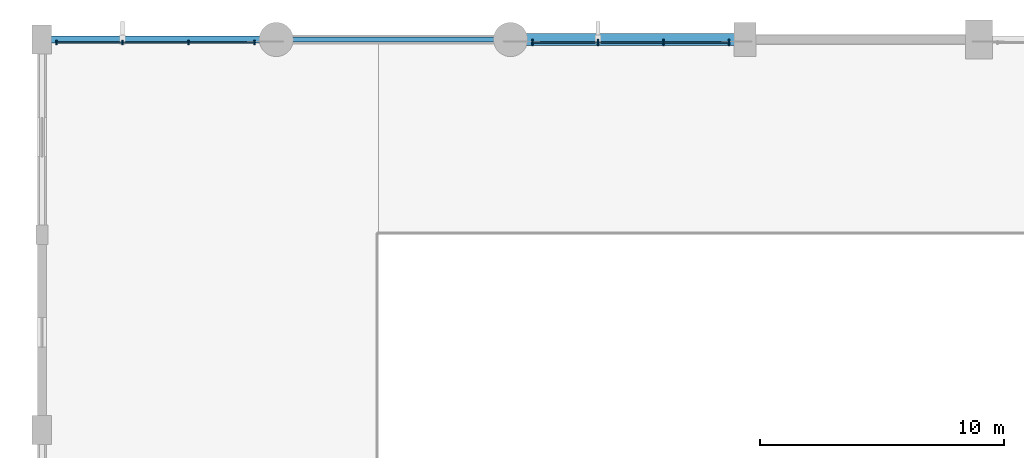
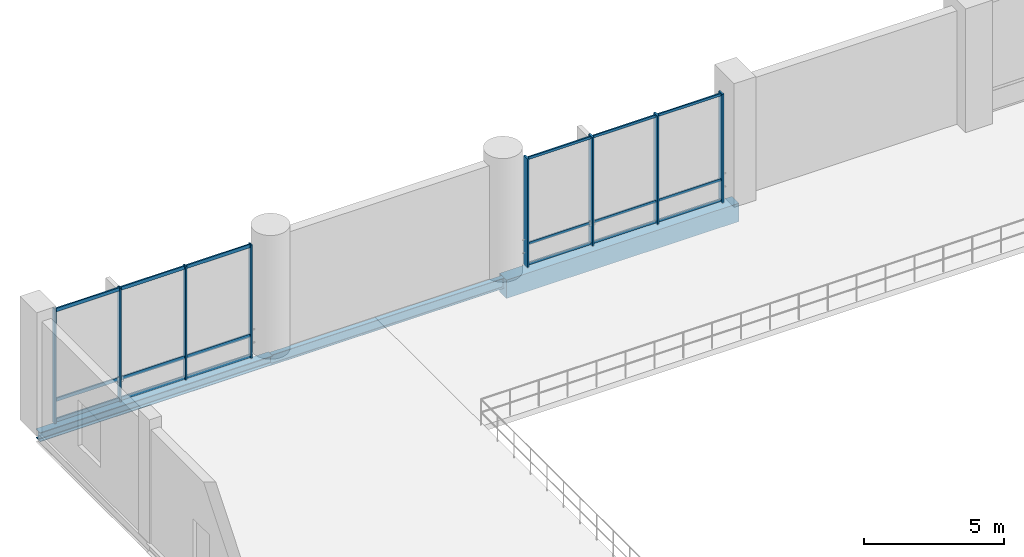
# One storey, part 63 of 129: 14 members, 3 beams, 2 elements without a shape of their own.
"""IFC4 building model written with IfcOpenShell, lengths in metres."""

from ifc_helpers import new_model, si_unit, direction, frame, origin, origin_2d, place, context, subcontext, project, spatial, rectangle, i_section, extrude, material, material_profile, profile_set, type_object, element, aggregate, save


model = new_model("IFC4")

# Units and contexts
model_context = context("Model", 3, precision=1e-05, world=origin(), true_north=direction((0.0, 1.0)))
body_context = subcontext(model_context, "Body", "Model", "MODEL_VIEW")
ifc_project = project(units=[si_unit("LENGTHUNIT", "METRE"), si_unit("AREAUNIT", "SQUARE_METRE"), si_unit("VOLUMEUNIT", "CUBIC_METRE"), si_unit("PLANEANGLEUNIT", "RADIAN"), si_unit("MASSUNIT", "GRAM", prefix="KILO")], contexts=[model_context])

# Site, building, storey
site_placement = place(None, origin())
site = spatial("IfcSite", under=ifc_project, at=site_placement, CompositionType="ELEMENT")
building_placement = place(site_placement, origin())
building = spatial("IfcBuilding", under=site, at=building_placement, Name="Danafjord Basin Convention Centre", CompositionType="ELEMENT")
storey_placement = place(building_placement, frame((0.0, 0.0, 6.0)))
storey = spatial("IfcBuildingStorey", under=building, at=storey_placement, Name="L01", CompositionType="ELEMENT", Elevation=6.0)

# Beams
ifc_material_1 = material(Name="Steel S355", Category="steel")
ifc_material_profile_1 = material_profile(ifc_material_1, i_section(OverallWidth=0.300048828125, OverallDepth=0.39990234375, WebThickness=0.013427734375, FlangeThickness=0.02392578125, FilletRadius=0.027099609375, at=origin_2d()), Name="HEB 400")
ifc_profile_set_1 = profile_set([ifc_material_profile_1], Name="Steel S355")
beam_type_1 = type_object("IfcBeamType", Name="BEAM-SP-HEB400", PredefinedType="SPANDREL", material=ifc_profile_set_1)
beam_1_placement = place(storey_placement, frame((0.0, 144.0, -0.449951171875), z_axis=(1.0, 0.0, 0.0), x_axis=(0.0, 1.0, 0.0)))
element("IfcBeam", 1, at=beam_1_placement, inside=storey, type_object=beam_type_1, Name="L01 girder SP-HEB400", PredefinedType="SPANDREL", context=body_context, shape_type="SweptSolid", body=[
    extrude(i_section(OverallWidth=0.300048828125, OverallDepth=0.39990234375, WebThickness=0.013427734375, FlangeThickness=0.02392578125, FilletRadius=0.027099609375, at=origin_2d()), origin(), (0.0, 0.0, 1.0), 9.60009765625),
])
ifc_material_profile_2 = material_profile(ifc_material_1, i_section(OverallWidth=0.18994140625, OverallDepth=0.449951171875, WebThickness=0.009521484375, FlangeThickness=0.0146484375, FilletRadius=0.02099609375, at=origin_2d()), Name="IPE 450")
ifc_profile_set_2 = profile_set([ifc_material_profile_2], Name="Steel S355")
beam_type_2 = type_object("IfcBeamType", Name="BEAM-SP-IPE450", PredefinedType="SPANDREL", material=ifc_profile_set_2)
beam_2_placement = place(storey_placement, frame((9.60009765625, 144.0, -0.47509765625), z_axis=(1.0, 0.0, 0.0), x_axis=(0.0, 1.0, 0.0)))
element("IfcBeam", 2, at=beam_2_placement, inside=storey, type_object=beam_type_2, Name="L01 girder SP-IPE450", PredefinedType="SPANDREL", context=body_context, shape_type="SweptSolid", body=[
    extrude(i_section(OverallWidth=0.18994140625, OverallDepth=0.449951171875, WebThickness=0.009521484375, FlangeThickness=0.0146484375, FilletRadius=0.02099609375, at=origin_2d()), origin(), (0.0, 0.0, 1.0), 9.599853515625),
])
ifc_material_2 = material(Name="Precast concrete C45/55", Category="concrete")
ifc_material_profile_3 = material_profile(ifc_material_2, rectangle(XDim=0.5, YDim=0.800048828125, at=origin_2d()), Name="PCB 500x800")
ifc_profile_set_3 = profile_set([ifc_material_profile_3], Name="Precast concrete C45/55")
beam_type_3 = type_object("IfcBeamType", Name="BEAM-SP-PCB800", PredefinedType="SPANDREL", material=ifc_profile_set_3)
beam_3_placement = place(storey_placement, frame((19.199951171875, 144.0, -0.64990234375), z_axis=(1.0, 0.0, 0.0), x_axis=(0.0, 1.0, 0.0)))
element("IfcBeam", 3, at=beam_3_placement, inside=storey, type_object=beam_type_3, Name="L01 girder SP-PCB800", PredefinedType="SPANDREL", context=body_context, shape_type="SweptSolid", body=[
    extrude(rectangle(XDim=0.5, YDim=0.800048828125, at=origin_2d()), origin(), (0.0, 0.0, 1.0), 9.60009765625),
])

# Curtain wall, members
ifc_material_3 = material(Name="Anodised aluminium and triple glazing", Category="aluminium")
curtain_wall_type = type_object("IfcCurtainWallType", Name="CW-CW-HALL", PredefinedType="NOTDEFINED", material=ifc_material_3)
curtain_wall_1_placement = place(storey_placement, origin())
curtain_wall_1 = element("IfcCurtainWall", 4, at=curtain_wall_1_placement, inside=storey, type_object=curtain_wall_type, Name="L01 CW-HALL unitised curtain wall bay 1", PredefinedType="NOTDEFINED")
ifc_material_4 = material(Name="Anodised aluminium EN AW-6060", Category="aluminium")
ifc_material_profile_4 = material_profile(ifc_material_4, rectangle(XDim=0.06005859375, YDim=0.179931640625, at=origin_2d()), Name="MULL 60x180")
ifc_profile_set_4 = profile_set([ifc_material_profile_4], Name="Anodised aluminium EN AW-6060")
member_type_1 = type_object("IfcMemberType", Name="MEM-ML-180", PredefinedType="MULLION", material=ifc_profile_set_4)
member_1_placement = place(storey_placement, frame((0.60009765625, 143.8798828125, -0.02490234375), z_axis=(0.0, 0.0, 1.0), x_axis=(1.0, 0.0, 0.0)))
member_1 = element("IfcMember", 5, at=member_1_placement, type_object=member_type_1, Name="CW-L01-001 mullion 1", PredefinedType="MULLION", context=body_context, shape_type="SweptSolid", body=[
    extrude(rectangle(XDim=0.06005859375, YDim=0.179931640625, at=origin_2d()), origin(), (0.0, 0.0, 1.0), 4.96484375),
])
member_2_placement = place(storey_placement, frame((3.300048828125, 143.8798828125, -0.02490234375), z_axis=(0.0, 0.0, 1.0), x_axis=(1.0, 0.0, 0.0)))
member_2 = element("IfcMember", 6, at=member_2_placement, type_object=member_type_1, Name="CW-L01-001 mullion 2", PredefinedType="MULLION", context=body_context, shape_type="SweptSolid", body=[
    extrude(rectangle(XDim=0.06005859375, YDim=0.179931640625, at=origin_2d()), origin(), (0.0, 0.0, 1.0), 4.96484375),
])
member_3_placement = place(storey_placement, frame((6.0, 143.8798828125, -0.02490234375), z_axis=(0.0, 0.0, 1.0), x_axis=(1.0, 0.0, 0.0)))
member_3 = element("IfcMember", 7, at=member_3_placement, type_object=member_type_1, Name="CW-L01-001 mullion 3", PredefinedType="MULLION", context=body_context, shape_type="SweptSolid", body=[
    extrude(rectangle(XDim=0.06005859375, YDim=0.179931640625, at=origin_2d()), origin(), (0.0, 0.0, 1.0), 4.96484375),
])
member_4_placement = place(storey_placement, frame((8.699951171875, 143.8798828125, -0.02490234375), z_axis=(0.0, 0.0, 1.0), x_axis=(1.0, 0.0, 0.0)))
member_4 = element("IfcMember", 8, at=member_4_placement, type_object=member_type_1, Name="CW-L01-001 mullion 4", PredefinedType="MULLION", context=body_context, shape_type="SweptSolid", body=[
    extrude(rectangle(XDim=0.06005859375, YDim=0.179931640625, at=origin_2d()), origin(), (0.0, 0.0, 1.0), 4.96484375),
])

curtain_wall_2_placement = place(storey_placement, origin())
curtain_wall_2 = element("IfcCurtainWall", 9, at=curtain_wall_2_placement, inside=storey, type_object=curtain_wall_type, Name="L01 CW-HALL unitised curtain wall bay 3", PredefinedType="NOTDEFINED")
ifc_material_profile_5 = material_profile(ifc_material_4, rectangle(XDim=0.070068359375, YDim=0.260009765625, at=origin_2d()), Name="MULL 70x260")
ifc_profile_set_5 = profile_set([ifc_material_profile_5], Name="Anodised aluminium EN AW-6060")
member_type_2 = type_object("IfcMemberType", Name="MEM-ML-260", PredefinedType="MULLION", material=ifc_profile_set_5)
member_5_placement = place(storey_placement, frame((20.10009765625, 143.8798828125, -0.02490234375), z_axis=(0.0, 0.0, 1.0), x_axis=(1.0, 0.0, 0.0)))
member_5 = element("IfcMember", 10, at=member_5_placement, type_object=member_type_2, Name="CW-L01-003 mullion 1", PredefinedType="MULLION", context=body_context, shape_type="SweptSolid", body=[
    extrude(rectangle(XDim=0.070068359375, YDim=0.260009765625, at=origin_2d()), origin(), (0.0, 0.0, 1.0), 4.764892578125),
])
member_6_placement = place(storey_placement, frame((22.783203125, 143.8798828125, -0.02490234375), z_axis=(0.0, 0.0, 1.0), x_axis=(1.0, 0.0, 0.0)))
member_6 = element("IfcMember", 11, at=member_6_placement, type_object=member_type_2, Name="CW-L01-003 mullion 2", PredefinedType="MULLION", context=body_context, shape_type="SweptSolid", body=[
    extrude(rectangle(XDim=0.070068359375, YDim=0.260009765625, at=origin_2d()), origin(), (0.0, 0.0, 1.0), 4.764892578125),
])
member_7_placement = place(storey_placement, frame((25.466796875, 143.8798828125, -0.02490234375), z_axis=(0.0, 0.0, 1.0), x_axis=(1.0, 0.0, 0.0)))
member_7 = element("IfcMember", 12, at=member_7_placement, type_object=member_type_2, Name="CW-L01-003 mullion 3", PredefinedType="MULLION", context=body_context, shape_type="SweptSolid", body=[
    extrude(rectangle(XDim=0.070068359375, YDim=0.260009765625, at=origin_2d()), origin(), (0.0, 0.0, 1.0), 4.764892578125),
])
member_8_placement = place(storey_placement, frame((28.14990234375, 143.8798828125, -0.02490234375), z_axis=(0.0, 0.0, 1.0), x_axis=(1.0, 0.0, 0.0)))
member_8 = element("IfcMember", 13, at=member_8_placement, type_object=member_type_2, Name="CW-L01-003 mullion 4", PredefinedType="MULLION", context=body_context, shape_type="SweptSolid", body=[
    extrude(rectangle(XDim=0.070068359375, YDim=0.260009765625, at=origin_2d()), origin(), (0.0, 0.0, 1.0), 4.764892578125),
])
ifc_material_profile_6 = material_profile(ifc_material_4, rectangle(XDim=0.06005859375, YDim=0.110107421875, at=origin_2d()), Name="TRAN 60x110")
ifc_profile_set_6 = profile_set([ifc_material_profile_6], Name="Anodised aluminium EN AW-6060")
member_type_3 = type_object("IfcMemberType", Name="MEM-TR-110", PredefinedType="USERDEFINED", material=ifc_profile_set_6)
member_9_placement = place(storey_placement, frame((20.10009765625, 143.8798828125, 0.06005859375), z_axis=(1.0, 0.0, 0.0), x_axis=(0.0, 1.0, 0.0)))
member_9 = element("IfcMember", 14, at=member_9_placement, type_object=member_type_3, Name="CW-L01-003 transom 1", ObjectType="TRANSOM", PredefinedType="USERDEFINED", context=body_context, shape_type="SweptSolid", body=[
    extrude(rectangle(XDim=0.06005859375, YDim=0.110107421875, at=origin_2d()), origin(), (0.0, 0.0, 1.0), 8.0498046875),
])
member_10_placement = place(storey_placement, frame((20.10009765625, 143.8798828125, 0.949951171875), z_axis=(1.0, 0.0, 0.0), x_axis=(0.0, 1.0, 0.0)))
member_10 = element("IfcMember", 15, at=member_10_placement, type_object=member_type_3, Name="CW-L01-003 transom 2", ObjectType="TRANSOM", PredefinedType="USERDEFINED", context=body_context, shape_type="SweptSolid", body=[
    extrude(rectangle(XDim=0.06005859375, YDim=0.110107421875, at=origin_2d()), origin(), (0.0, 0.0, 1.0), 8.0498046875),
])
member_11_placement = place(storey_placement, frame((20.10009765625, 143.8798828125, 4.669921875), z_axis=(1.0, 0.0, 0.0), x_axis=(0.0, 1.0, 0.0)))
member_11 = element("IfcMember", 16, at=member_11_placement, type_object=member_type_3, Name="CW-L01-003 transom 3", ObjectType="TRANSOM", PredefinedType="USERDEFINED", context=body_context, shape_type="SweptSolid", body=[
    extrude(rectangle(XDim=0.06005859375, YDim=0.110107421875, at=origin_2d()), origin(), (0.0, 0.0, 1.0), 8.0498046875),
])
aggregate(curtain_wall_2, [member_5, member_6, member_7, member_8, member_9, member_10, member_11])

# Member
ifc_material_profile_7 = material_profile(ifc_material_4, rectangle(XDim=0.06005859375, YDim=0.14990234375, at=origin_2d()), Name="TRAN 60x150")
ifc_profile_set_7 = profile_set([ifc_material_profile_7], Name="Anodised aluminium EN AW-6060")
member_type_4 = type_object("IfcMemberType", Name="MEM-TR-150", PredefinedType="USERDEFINED", material=ifc_profile_set_7)
member_12_placement = place(storey_placement, frame((0.60009765625, 143.8798828125, 0.06005859375), z_axis=(1.0, 0.0, 0.0), x_axis=(0.0, 1.0, 0.0)))
member_12 = element("IfcMember", 17, at=member_12_placement, type_object=member_type_4, Name="CW-L01-001 transom 1", ObjectType="TRANSOM", PredefinedType="USERDEFINED", context=body_context, shape_type="SweptSolid", body=[
    extrude(rectangle(XDim=0.06005859375, YDim=0.14990234375, at=origin_2d()), origin(), (0.0, 0.0, 1.0), 8.099853515625),
])

member_13_placement = place(storey_placement, frame((0.60009765625, 143.8798828125, 0.949951171875), z_axis=(1.0, 0.0, 0.0), x_axis=(0.0, 1.0, 0.0)))
member_13 = element("IfcMember", 18, at=member_13_placement, type_object=member_type_4, Name="CW-L01-001 transom 2", ObjectType="TRANSOM", PredefinedType="USERDEFINED", context=body_context, shape_type="SweptSolid", body=[
    extrude(rectangle(XDim=0.06005859375, YDim=0.14990234375, at=origin_2d()), origin(), (0.0, 0.0, 1.0), 8.099853515625),
])

member_14_placement = place(storey_placement, frame((0.60009765625, 143.8798828125, 4.8701171875), z_axis=(1.0, 0.0, 0.0), x_axis=(0.0, 1.0, 0.0)))
member_14 = element("IfcMember", 19, at=member_14_placement, type_object=member_type_4, Name="CW-L01-001 transom 3", ObjectType="TRANSOM", PredefinedType="USERDEFINED", context=body_context, shape_type="SweptSolid", body=[
    extrude(rectangle(XDim=0.06005859375, YDim=0.14990234375, at=origin_2d()), origin(), (0.0, 0.0, 1.0), 8.099853515625),
])

aggregate(curtain_wall_1, [member_1, member_2, member_3, member_4, member_12, member_13, member_14])

save(model, "model.ifc")
